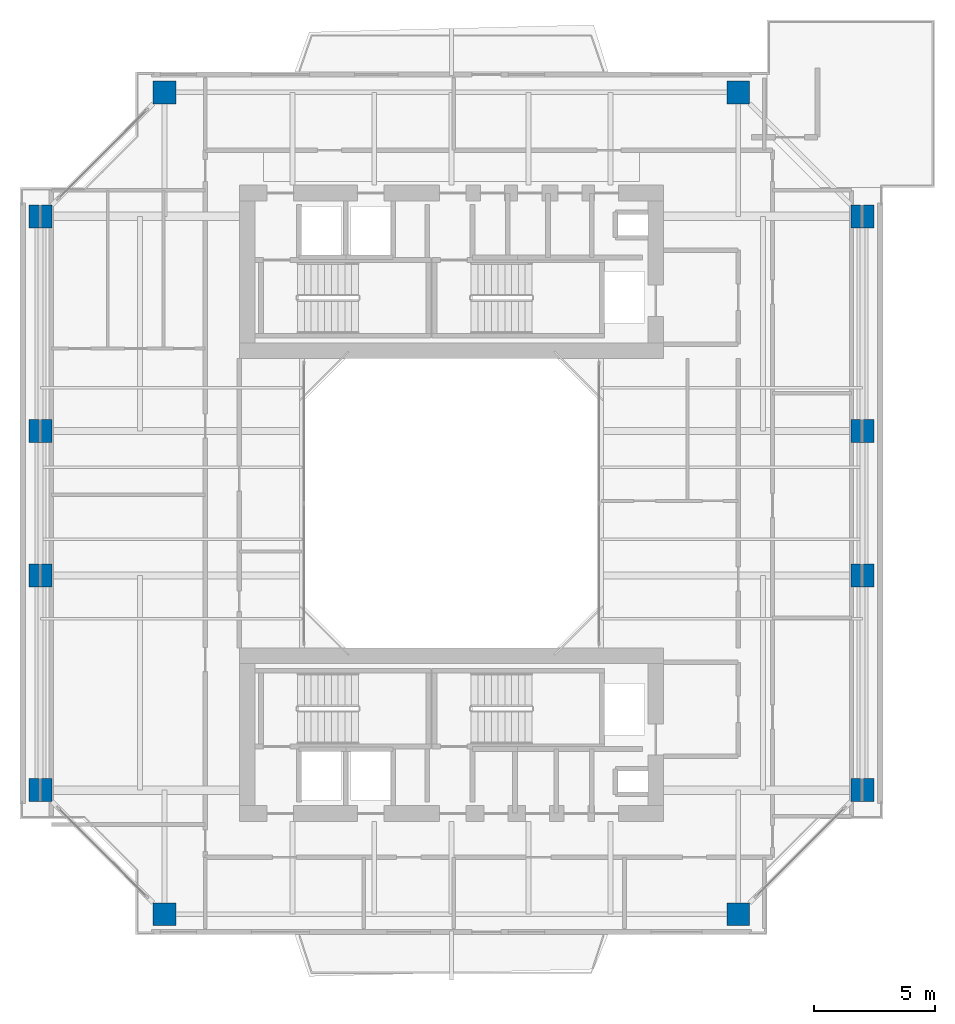
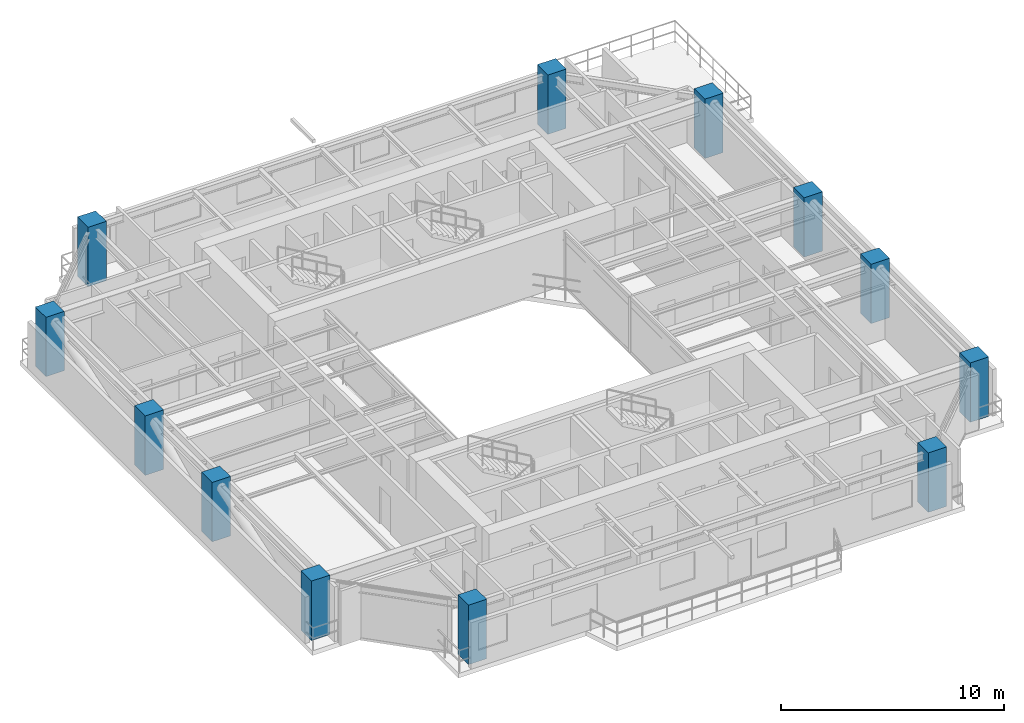
# One storey, part 1 of 14: 12 columns.
"""IFC4 building model written with IfcOpenShell, lengths in metres."""

from ifc_helpers import new_model, si_unit, direction, frame, origin, origin_2d, place, context, subcontext, project, spatial, rectangle, extrude, source, transform, mapped, material, material_profile, profile_set, type_object, element, save


model = new_model("IFC4")

# Units and contexts
model_context = context("Model", 3, precision=1e-05, world=origin(), true_north=direction((0.0, 1.0)))
body_context = subcontext(model_context, "Body", "Model", "MODEL_VIEW")
ifc_project = project(units=[si_unit("LENGTHUNIT", "METRE"), si_unit("AREAUNIT", "SQUARE_METRE"), si_unit("VOLUMEUNIT", "CUBIC_METRE"), si_unit("PLANEANGLEUNIT", "RADIAN"), si_unit("MASSUNIT", "GRAM", prefix="KILO"), si_unit("THERMODYNAMICTEMPERATUREUNIT", "KELVIN"), si_unit("POWERUNIT", "WATT")], contexts=[model_context])

# Site, building, storey
site_placement = place(None, origin())
site = spatial("IfcSite", under=ifc_project, at=site_placement, CompositionType="ELEMENT")
building_placement = place(site_placement, origin())
building = spatial("IfcBuilding", under=site, at=building_placement, Name="Qiaomeng Ring Towers", CompositionType="ELEMENT")
storey_placement = place(building_placement, frame((0.0, 0.0, 173.0)))
storey = spatial("IfcBuildingStorey", under=building, at=storey_placement, Name="L50", CompositionType="ELEMENT", Elevation=173.0)

# Columns
ifc_material = material(Name="Concrete C50", Category="concrete")
ifc_material_profile = material_profile(ifc_material, rectangle(XDim=0.949951171875, YDim=0.949951171875, at=origin_2d()), Name="RC COL 950x950")
ifc_profile_set = profile_set([ifc_material_profile], Name="Concrete C50")
column_type = type_object("IfcColumnType", Name="STR-COL-950-C50", PredefinedType="COLUMN", material=ifc_profile_set)
shared_shape = source(origin(), body_context, "Body", "SweptSolid", [
    extrude(rectangle(XDim=0.949951171875, YDim=0.949951171875, at=origin_2d()), origin(), (0.0, 0.0, 1.0), 3.25),
])
for number, where, z_axis, x_axis, name in (
    (1, (7.10009765625, 5.949951171875, 0.0), (0.0, 0.0, 1.0), (1.0, 0.0, 0.0), "L50 column STR-COL-L50-T1-S1"),
    (2, (30.89990234375, 5.949951171875, 0.0), (0.0, 0.0, 1.0), (1.0, 0.0, 0.0), "L50 column STR-COL-L50-T1-S2"),
    (3, (36.050048828125, 11.10009765625, 0.0), (0.0, 0.0, 1.0), (1.0, 0.0, 0.0), "L50 column STR-COL-L50-T1-E1"),
    (4, (36.050048828125, 20.0, 0.0), (0.0, 0.0, 1.0), (1.0, 0.0, 0.0), "L50 column STR-COL-L50-T1-E2"),
    (5, (36.050048828125, 26.0, 0.0), (0.0, 0.0, 1.0), (1.0, 0.0, 0.0), "L50 column STR-COL-L50-T1-E3"),
    (6, (36.050048828125, 34.89990234375, 0.0), (0.0, 0.0, 1.0), (1.0, 0.0, 0.0), "L50 column STR-COL-L50-T1-E4"),
    (7, (30.89990234375, 40.050048828125, 0.0), (0.0, 0.0, 1.0), (1.0, 0.0, 0.0), "L50 column STR-COL-L50-T1-N2"),
    (8, (7.10009765625, 40.050048828125, 0.0), (0.0, 0.0, 1.0), (1.0, 0.0, 0.0), "L50 column STR-COL-L50-T1-N1"),
    (9, (1.949951171875, 34.89990234375, 0.0), (0.0, 0.0, 1.0), (1.0, 0.0, 0.0), "L50 column STR-COL-L50-T1-W4"),
    (10, (1.949951171875, 26.0, 0.0), (0.0, 0.0, 1.0), (1.0, 0.0, 0.0), "L50 column STR-COL-L50-T1-W3"),
    (11, (1.949951171875, 20.0, 0.0), (0.0, 0.0, 1.0), (1.0, 0.0, 0.0), "L50 column STR-COL-L50-T1-W2"),
    (12, (1.949951171875, 11.10009765625, 0.0), (0.0, 0.0, 1.0), (1.0, 0.0, 0.0), "L50 column STR-COL-L50-T1-W1"),
):
    element("IfcColumn", number, at=place(storey_placement, frame(where, z_axis=z_axis, x_axis=x_axis)), inside=storey, type_object=column_type, Name=name, PredefinedType="COLUMN", context=body_context, shape_type="MappedRepresentation", body=[
        mapped(shared_shape, transform((0.0, 0.0, 0.0), x_axis=(1.0, 0.0, 0.0), y_axis=(0.0, 1.0, 0.0), z_axis=(0.0, 0.0, 1.0), scale=1.0)),
    ])

save(model, "model.ifc")
